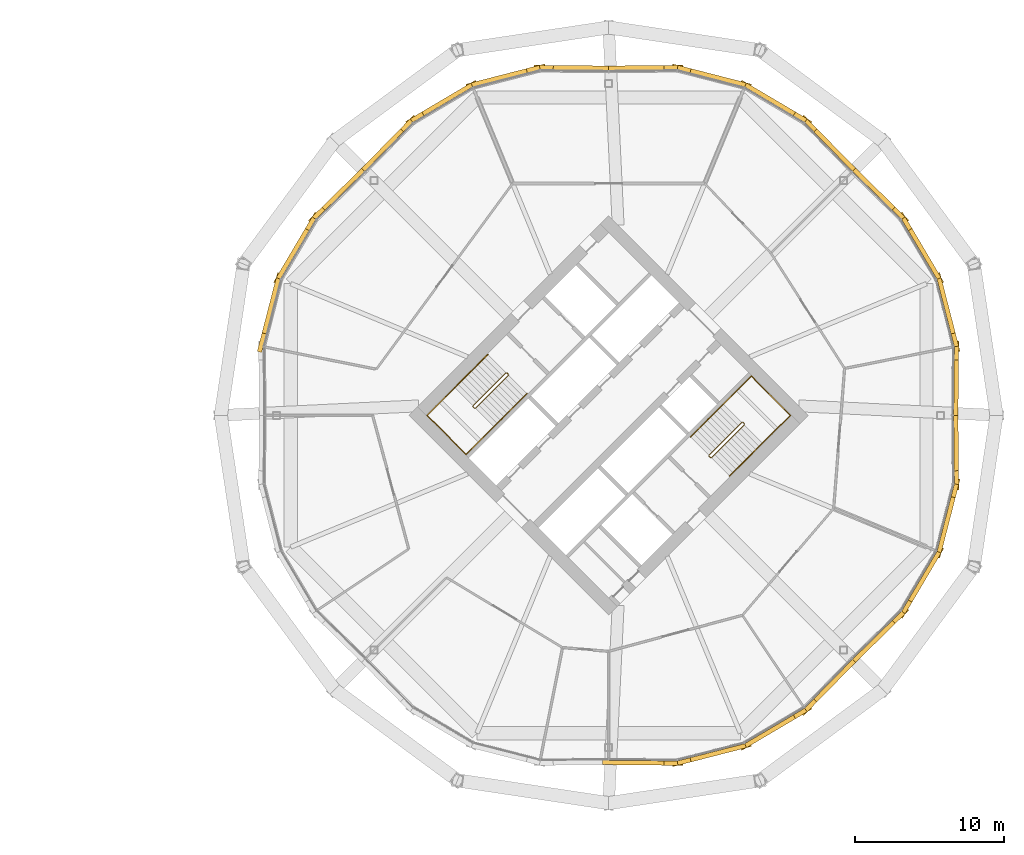
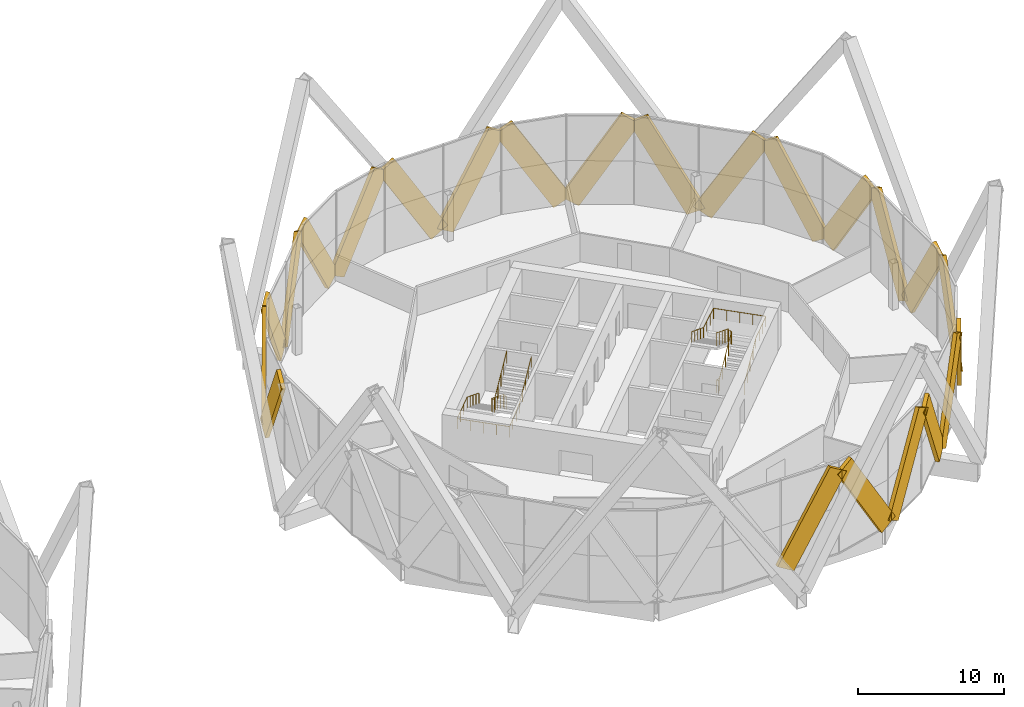
# One storey, part 28 of 28: 23 coverings, 4 railings.
"""IFC4 building model written with IfcOpenShell, lengths in metres."""

from ifc_helpers import new_model, si_unit, direction, frame, origin, origin_2d, place, context, subcontext, project, spatial, rectangle, circle, extrude, material, material_profile, profile_set, type_object, element, save


model = new_model("IFC4")

# Units and contexts
model_context = context("Model", 3, precision=1e-05, world=origin(), true_north=direction((0.0, 1.0)))
body_context = subcontext(model_context, "Body", "Model", "MODEL_VIEW")
ifc_project = project(units=[si_unit("LENGTHUNIT", "METRE"), si_unit("AREAUNIT", "SQUARE_METRE"), si_unit("VOLUMEUNIT", "CUBIC_METRE"), si_unit("PLANEANGLEUNIT", "RADIAN"), si_unit("MASSUNIT", "GRAM", prefix="KILO")], contexts=[model_context])

# Site, building, storey
site_placement = place(None, origin())
site = spatial("IfcSite", under=ifc_project, at=site_placement, CompositionType="ELEMENT")
building_placement = place(site_placement, origin())
building = spatial("IfcBuilding", under=site, at=building_placement, Name="Ogive Gate Towers", CompositionType="ELEMENT")
storey_placement = place(building_placement, frame((0.0, 0.0, 115.199951171875)))
storey = spatial("IfcBuildingStorey", under=building, at=storey_placement, Name="L27", CompositionType="ELEMENT", Elevation=115.199951171875)

# Coverings
ifc_material_1 = material(Name="Pale metal aluminium", Category="aluminium")
ifc_material_profile = material_profile(ifc_material_1, rectangle(XDim=0.300048828125, YDim=1.5, at=origin_2d()), Name="1500 x 300 pale metal aluminium")
ifc_profile_set = profile_set([ifc_material_profile], Name="Pale metal aluminium")
covering_type = type_object("IfcCoveringType", Name="Facade fin 1500 x 300", PredefinedType="CLADDING", material=ifc_profile_set)
covering_1_placement = place(storey_placement, frame((59.372314453125, 0.228515625, 0.13525390625), z_axis=(0.005290317119, 0.513523525176, 0.85805920637), x_axis=(-0.999946938666, 0.010301449006, 0.0)))
element("IfcCovering", 1, at=covering_1_placement, inside=storey, type_object=covering_type, Name="Facade fin", PredefinedType="CLADDING", context=body_context, shape_type="SweptSolid", body=[
    extrude(rectangle(XDim=0.300048828125, YDim=1.5, at=origin_2d()), origin(), (0.0, 0.0, 1.0), 8.075927734375),
])
for number, where, z_axis, x_axis, name in (
    (2, (58.306884765625, 8.955078125, 0.138916015625), (0.129101932383, -0.5022339598, 0.855040198283), (0.96851336819, 0.248961554535, 0.0), "Facade fin"),
    (3, (58.10546875, 9.441162109375, 0.138916015625), (-0.263840727454, 0.446439379269, 0.855032134586), (-0.860896426094, -0.508780250736, 0.0), "Facade fin"),
):
    element("IfcCovering", number, at=place(storey_placement, frame(where, z_axis=z_axis, x_axis=x_axis)), inside=storey, type_object=covering_type, Name=name, PredefinedType="CLADDING", context=body_context, shape_type="SweptSolid", body=[
        extrude(rectangle(XDim=0.300048828125, YDim=1.5, at=origin_2d()), origin(), (0.0, 0.0, 1.0), 8.095703125),
    ])
for number, where, z_axis, x_axis, name in (
    (4, (52.688232421875, 16.365234375, 0.13525390625), (0.366872875915, -0.359375803303, 0.858052052569), (0.699770026242, 0.714368189643, 0.0), "Facade fin"),
    (5, (52.365234375, 16.688232421875, 0.13525390625), (-0.359375803303, 0.366872875915, 0.858052052569), (-0.714368189643, -0.699770026242, 0.0), "Facade fin"),
):
    element("IfcCovering", number, at=place(storey_placement, frame(where, z_axis=z_axis, x_axis=x_axis)), inside=storey, type_object=covering_type, Name=name, PredefinedType="CLADDING", context=body_context, shape_type="SweptSolid", body=[
        extrude(rectangle(XDim=0.300048828125, YDim=1.5, at=origin_2d()), origin(), (0.0, 0.0, 1.0), 8.076171875),
    ])
for number, where, z_axis, x_axis, name in (
    (6, (45.441162109375, 22.10546875, 0.138916015625), (0.446439379269, -0.263840727454, 0.855032134586), (0.508780250736, 0.860896426094, 0.0), "Facade fin"),
    (7, (44.955078125, 22.306884765625, 0.138916015625), (-0.5022339598, 0.129101932383, 0.855040198283), (-0.248961554535, -0.96851336819, 0.0), "Facade fin"),
):
    element("IfcCovering", number, at=place(storey_placement, frame(where, z_axis=z_axis, x_axis=x_axis)), inside=storey, type_object=covering_type, Name=name, PredefinedType="CLADDING", context=body_context, shape_type="SweptSolid", body=[
        extrude(rectangle(XDim=0.300048828125, YDim=1.5, at=origin_2d()), origin(), (0.0, 0.0, 1.0), 8.095703125),
    ])
for number, where, z_axis, x_axis, name in (
    (8, (36.228515625, 23.372314453125, 0.13525390625), (0.513523525176, 0.005290317119, 0.85805920637), (-0.010301449006, 0.999946938666, 0.0), "Facade fin"),
    (9, (35.771484375, 23.372314453125, 0.13525390625), (-0.513523525176, 0.005290317119, 0.85805920637), (-0.010301449006, -0.999946938666, 0.0), "Facade fin"),
):
    element("IfcCovering", number, at=place(storey_placement, frame(where, z_axis=z_axis, x_axis=x_axis)), inside=storey, type_object=covering_type, Name=name, PredefinedType="CLADDING", context=body_context, shape_type="SweptSolid", body=[
        extrude(rectangle(XDim=0.300048828125, YDim=1.5, at=origin_2d()), origin(), (0.0, 0.0, 1.0), 8.075927734375),
    ])
for number, where, z_axis, x_axis, name in (
    (10, (27.044921875, 22.306884765625, 0.138916015625), (0.5022339598, 0.129101932383, 0.855040198283), (-0.248961554535, 0.96851336819, 0.0), "Facade fin"),
    (11, (26.558837890625, 22.10546875, 0.138916015625), (-0.446439379269, -0.263840727454, 0.855032134586), (0.508780250736, -0.860896426094, 0.0), "Facade fin"),
):
    element("IfcCovering", number, at=place(storey_placement, frame(where, z_axis=z_axis, x_axis=x_axis)), inside=storey, type_object=covering_type, Name=name, PredefinedType="CLADDING", context=body_context, shape_type="SweptSolid", body=[
        extrude(rectangle(XDim=0.300048828125, YDim=1.5, at=origin_2d()), origin(), (0.0, 0.0, 1.0), 8.095703125),
    ])
for number, where, z_axis, x_axis, name in (
    (12, (19.634765625, 16.688232421875, 0.13525390625), (0.359375803303, 0.366872875915, 0.858052052569), (-0.714368189643, 0.699770026242, 0.0), "Facade fin"),
    (13, (19.311767578125, 16.365234375, 0.13525390625), (-0.366872875915, -0.359375803303, 0.858052052569), (0.699770026242, -0.714368189643, 0.0), "Facade fin"),
):
    element("IfcCovering", number, at=place(storey_placement, frame(where, z_axis=z_axis, x_axis=x_axis)), inside=storey, type_object=covering_type, Name=name, PredefinedType="CLADDING", context=body_context, shape_type="SweptSolid", body=[
        extrude(rectangle(XDim=0.300048828125, YDim=1.5, at=origin_2d()), origin(), (0.0, 0.0, 1.0), 8.076171875),
    ])
for number, where, z_axis, x_axis, name in (
    (14, (13.89453125, 9.441162109375, 0.138916015625), (0.263840727454, 0.446439379269, 0.855032134586), (-0.860896426094, 0.508780250736, 0.0), "Facade fin"),
    (15, (13.693115234375, 8.955078125, 0.138916015625), (-0.129101932383, -0.5022339598, 0.855040198283), (0.96851336819, -0.248961554535, 0.0), "Facade fin"),
):
    element("IfcCovering", number, at=place(storey_placement, frame(where, z_axis=z_axis, x_axis=x_axis)), inside=storey, type_object=covering_type, Name=name, PredefinedType="CLADDING", context=body_context, shape_type="SweptSolid", body=[
        extrude(rectangle(XDim=0.300048828125, YDim=1.5, at=origin_2d()), origin(), (0.0, 0.0, 1.0), 8.095703125),
    ])
covering_2_placement = place(storey_placement, frame((36.228515625, -23.372314453125, 0.13525390625), z_axis=(0.513523525176, -0.005290317119, 0.85805920637), x_axis=(0.010301449006, 0.999946938666, 0.0)))
element("IfcCovering", 16, at=covering_2_placement, inside=storey, type_object=covering_type, Name="Facade fin", PredefinedType="CLADDING", context=body_context, shape_type="SweptSolid", body=[
    extrude(rectangle(XDim=0.300048828125, YDim=1.5, at=origin_2d()), origin(), (0.0, 0.0, 1.0), 8.075927734375),
])
for number, where, z_axis, x_axis, name in (
    (17, (44.955078125, -22.306884765625, 0.138916015625), (-0.5022339598, -0.129101932383, 0.855040198283), (0.248961554535, -0.96851336819, 0.0), "Facade fin"),
    (18, (45.441162109375, -22.10546875, 0.138916015625), (0.446439379269, 0.263840727454, 0.855032134586), (-0.508780250736, 0.860896426094, 0.0), "Facade fin"),
):
    element("IfcCovering", number, at=place(storey_placement, frame(where, z_axis=z_axis, x_axis=x_axis)), inside=storey, type_object=covering_type, Name=name, PredefinedType="CLADDING", context=body_context, shape_type="SweptSolid", body=[
        extrude(rectangle(XDim=0.300048828125, YDim=1.5, at=origin_2d()), origin(), (0.0, 0.0, 1.0), 8.095703125),
    ])
for number, where, z_axis, x_axis, name in (
    (19, (52.365234375, -16.688232421875, 0.13525390625), (-0.359375803303, -0.366872875915, 0.858052052569), (0.714368189643, -0.699770026242, 0.0), "Facade fin"),
    (20, (52.688232421875, -16.365234375, 0.13525390625), (0.366872875915, 0.359375803303, 0.858052052569), (-0.699770026242, 0.714368189643, 0.0), "Facade fin"),
):
    element("IfcCovering", number, at=place(storey_placement, frame(where, z_axis=z_axis, x_axis=x_axis)), inside=storey, type_object=covering_type, Name=name, PredefinedType="CLADDING", context=body_context, shape_type="SweptSolid", body=[
        extrude(rectangle(XDim=0.300048828125, YDim=1.5, at=origin_2d()), origin(), (0.0, 0.0, 1.0), 8.076171875),
    ])
for number, where, z_axis, x_axis, name in (
    (21, (58.10546875, -9.441162109375, 0.138916015625), (-0.263840727454, -0.446439379269, 0.855032134586), (0.860896426094, -0.508780250736, 0.0), "Facade fin"),
    (22, (58.306884765625, -8.955078125, 0.138916015625), (0.129101932383, 0.5022339598, 0.855040198283), (-0.96851336819, 0.248961554535, 0.0), "Facade fin"),
):
    element("IfcCovering", number, at=place(storey_placement, frame(where, z_axis=z_axis, x_axis=x_axis)), inside=storey, type_object=covering_type, Name=name, PredefinedType="CLADDING", context=body_context, shape_type="SweptSolid", body=[
        extrude(rectangle(XDim=0.300048828125, YDim=1.5, at=origin_2d()), origin(), (0.0, 0.0, 1.0), 8.095703125),
    ])
covering_3_placement = place(storey_placement, frame((59.372314453125, -0.228515625, 0.13525390625), z_axis=(0.005290317119, -0.513523525176, 0.85805920637), x_axis=(0.999946938666, 0.010301449006, 0.0)))
element("IfcCovering", 23, at=covering_3_placement, inside=storey, type_object=covering_type, Name="Facade fin", PredefinedType="CLADDING", context=body_context, shape_type="SweptSolid", body=[
    extrude(rectangle(XDim=0.300048828125, YDim=1.5, at=origin_2d()), origin(), (0.0, 0.0, 1.0), 8.075927734375),
])

# Railings
ifc_material_2 = material(Name="Stainless steel", Category="steel")
railing_type_1 = type_object("IfcRailingType", Name="Stair guard 1100", PredefinedType="GUARDRAIL", material=ifc_material_2)
railing_1_placement = place(storey_placement, frame((29.15869140625, 2.8603515625, 0.0)))
element("IfcRailing", 24, at=railing_1_placement, inside=storey, type_object=railing_type_1, Name="L27 ST1 stair guard 1", PredefinedType="GUARDRAIL", context=body_context, shape_type="SweptSolid", body=[
    extrude(circle(Radius=0.02392578125, at=origin_2d()), frame((0.0, 0.0, 1.076171875), z_axis=(0.707106781187, -0.707106781187, 0.0), x_axis=(0.707106781187, 0.707106781187, 0.0)), (0.0, 0.0, 1.0), 0.14501953125),
    extrude(circle(Radius=0.02392578125, at=origin_2d()), frame((0.1025390625, -0.1025390625, 1.076171875), z_axis=(-0.645571447971, 0.382425963537, 0.661050594114), x_axis=(-0.509669330572, -0.860370369942, 0.0)), (0.0, 0.0, 1.0), 0.26806640625),
    extrude(circle(Radius=0.02392578125, at=origin_2d()), frame((-0.070556640625, 0.0, 1.25341796875), z_axis=(-0.61558473135, -0.61558473135, 0.49204763698), x_axis=(0.707106781187, -0.707106781187, 0.0)), (0.0, 0.0, 1.0), 3.602783203125),
    extrude(circle(Radius=0.02392578125, at=origin_2d()), frame((-2.288330078125, -2.2177734375, 3.02587890625), z_axis=(0.0, -1.0, 0.0), x_axis=(1.0, 0.0, 0.0)), (0.0, 0.0, 1.0), 0.07080078125),
    extrude(circle(Radius=0.02392578125, at=origin_2d()), frame((-2.288330078125, -2.28857421875, 3.02587890625), z_axis=(0.707106781187, -0.707106781187, 0.0), x_axis=(0.707106781187, 0.707106781187, 0.0)), (0.0, 0.0, 1.0), 0.14501953125),
    extrude(circle(Radius=0.02392578125, at=origin_2d()), frame((-2.185791015625, -2.39111328125, 3.02587890625), z_axis=(0.369406379806, 0.0, 0.92926795197), x_axis=(0.0, 1.0, 0.0)), (0.0, 0.0, 1.0), 0.19091796875),
    extrude(circle(Radius=0.02392578125, at=origin_2d()), frame((-2.115234375, -2.39111328125, 3.20361328125), z_axis=(0.61558473135, 0.61558473135, 0.49204763698), x_axis=(-0.707106781187, 0.707106781187, 0.0)), (0.0, 0.0, 1.0), 3.602783203125),
    extrude(circle(Radius=0.02099609375, at=origin_2d()), origin(), (0.0, 0.0, 1.0), 1.052001953125),
    extrude(circle(Radius=0.02099609375, at=origin_2d()), frame((0.1025390625, -0.1025390625, 0.0)), (0.0, 0.0, 1.0), 1.052001953125),
    extrude(circle(Radius=0.02099609375, at=origin_2d()), frame((-0.070556640625, 0.0, 0.17724609375)), (0.0, 0.0, 1.0), 1.052001953125),
    extrude(circle(Radius=0.02099609375, at=origin_2d()), frame((-0.625, -0.554443359375, 0.620361328125)), (0.0, 0.0, 1.0), 1.052001953125),
    extrude(circle(Radius=0.02099609375, at=origin_2d()), frame((-1.179443359375, -1.10888671875, 1.0634765625)), (0.0, 0.0, 1.0), 1.052001953125),
    extrude(circle(Radius=0.02099609375, at=origin_2d()), frame((-1.73388671875, -1.663330078125, 1.5068359375)), (0.0, 0.0, 1.0), 1.052001953125),
    extrude(circle(Radius=0.02099609375, at=origin_2d()), frame((-2.288330078125, -2.2177734375, 1.949951171875)), (0.0, 0.0, 1.0), 1.052001953125),
    extrude(circle(Radius=0.02099609375, at=origin_2d()), frame((-2.288330078125, -2.28857421875, 1.949951171875)), (0.0, 0.0, 1.0), 1.052001953125),
    extrude(circle(Radius=0.02099609375, at=origin_2d()), frame((-2.185791015625, -2.39111328125, 1.949951171875)), (0.0, 0.0, 1.0), 1.052001953125),
    extrude(circle(Radius=0.02099609375, at=origin_2d()), frame((-2.115234375, -2.39111328125, 2.12744140625)), (0.0, 0.0, 1.0), 1.052001953125),
    extrude(circle(Radius=0.02099609375, at=origin_2d()), frame((-1.560791015625, -1.836669921875, 2.570556640625)), (0.0, 0.0, 1.0), 1.052001953125),
    extrude(circle(Radius=0.02099609375, at=origin_2d()), frame((-1.00634765625, -1.2822265625, 3.013671875)), (0.0, 0.0, 1.0), 1.052001953125),
    extrude(circle(Radius=0.02099609375, at=origin_2d()), frame((-0.451904296875, -0.727783203125, 3.45703125)), (0.0, 0.0, 1.0), 1.052001953125),
    extrude(circle(Radius=0.02099609375, at=origin_2d()), frame((0.1025390625, -0.17333984375, 3.900146484375)), (0.0, 0.0, 1.0), 1.052001953125),
])
railing_2_placement = place(storey_placement, frame((42.84130859375, -2.8603515625, 0.0)))
element("IfcRailing", 25, at=railing_2_placement, inside=storey, type_object=railing_type_1, Name="L27 ST2 stair guard 1", PredefinedType="GUARDRAIL", context=body_context, shape_type="SweptSolid", body=[
    extrude(circle(Radius=0.02392578125, at=origin_2d()), frame((0.0, 0.0, 1.076171875), z_axis=(-0.707106781187, 0.707106781187, 0.0), x_axis=(-0.707106781187, -0.707106781187, 0.0)), (0.0, 0.0, 1.0), 0.14501953125),
    extrude(circle(Radius=0.02392578125, at=origin_2d()), frame((-0.1025390625, 0.1025390625, 1.076171875), z_axis=(0.645571447971, -0.382425963537, 0.661050594114), x_axis=(0.509669330572, 0.860370369942, 0.0)), (0.0, 0.0, 1.0), 0.26806640625),
    extrude(circle(Radius=0.02392578125, at=origin_2d()), frame((0.070556640625, 0.0, 1.25341796875), z_axis=(0.61558473135, 0.61558473135, 0.49204763698), x_axis=(-0.707106781187, 0.707106781187, 0.0)), (0.0, 0.0, 1.0), 3.602783203125),
    extrude(circle(Radius=0.02392578125, at=origin_2d()), frame((2.288330078125, 2.2177734375, 3.02587890625), z_axis=(0.0, 1.0, 0.0), x_axis=(-1.0, 0.0, 0.0)), (0.0, 0.0, 1.0), 0.07080078125),
    extrude(circle(Radius=0.02392578125, at=origin_2d()), frame((2.288330078125, 2.28857421875, 3.02587890625), z_axis=(-0.707106781187, 0.707106781187, 0.0), x_axis=(-0.707106781187, -0.707106781187, 0.0)), (0.0, 0.0, 1.0), 0.14501953125),
    extrude(circle(Radius=0.02392578125, at=origin_2d()), frame((2.185791015625, 2.39111328125, 3.02587890625), z_axis=(-0.369406379806, 0.0, 0.92926795197), x_axis=(0.0, -1.0, 0.0)), (0.0, 0.0, 1.0), 0.19091796875),
    extrude(circle(Radius=0.02392578125, at=origin_2d()), frame((2.115234375, 2.39111328125, 3.20361328125), z_axis=(-0.61558473135, -0.61558473135, 0.49204763698), x_axis=(0.707106781187, -0.707106781187, 0.0)), (0.0, 0.0, 1.0), 3.602783203125),
    extrude(circle(Radius=0.02099609375, at=origin_2d()), origin(), (0.0, 0.0, 1.0), 1.052001953125),
    extrude(circle(Radius=0.02099609375, at=origin_2d()), frame((-0.1025390625, 0.1025390625, 0.0)), (0.0, 0.0, 1.0), 1.052001953125),
    extrude(circle(Radius=0.02099609375, at=origin_2d()), frame((0.070556640625, 0.0, 0.17724609375)), (0.0, 0.0, 1.0), 1.052001953125),
    extrude(circle(Radius=0.02099609375, at=origin_2d()), frame((0.625, 0.554443359375, 0.620361328125)), (0.0, 0.0, 1.0), 1.052001953125),
    extrude(circle(Radius=0.02099609375, at=origin_2d()), frame((1.179443359375, 1.10888671875, 1.0634765625)), (0.0, 0.0, 1.0), 1.052001953125),
    extrude(circle(Radius=0.02099609375, at=origin_2d()), frame((1.73388671875, 1.663330078125, 1.5068359375)), (0.0, 0.0, 1.0), 1.052001953125),
    extrude(circle(Radius=0.02099609375, at=origin_2d()), frame((2.288330078125, 2.2177734375, 1.949951171875)), (0.0, 0.0, 1.0), 1.052001953125),
    extrude(circle(Radius=0.02099609375, at=origin_2d()), frame((2.288330078125, 2.28857421875, 1.949951171875)), (0.0, 0.0, 1.0), 1.052001953125),
    extrude(circle(Radius=0.02099609375, at=origin_2d()), frame((2.185791015625, 2.39111328125, 1.949951171875)), (0.0, 0.0, 1.0), 1.052001953125),
    extrude(circle(Radius=0.02099609375, at=origin_2d()), frame((2.115234375, 2.39111328125, 2.12744140625)), (0.0, 0.0, 1.0), 1.052001953125),
    extrude(circle(Radius=0.02099609375, at=origin_2d()), frame((1.560791015625, 1.836669921875, 2.570556640625)), (0.0, 0.0, 1.0), 1.052001953125),
    extrude(circle(Radius=0.02099609375, at=origin_2d()), frame((1.00634765625, 1.2822265625, 3.013671875)), (0.0, 0.0, 1.0), 1.052001953125),
    extrude(circle(Radius=0.02099609375, at=origin_2d()), frame((0.451904296875, 0.727783203125, 3.45703125)), (0.0, 0.0, 1.0), 1.052001953125),
    extrude(circle(Radius=0.02099609375, at=origin_2d()), frame((-0.1025390625, 0.17333984375, 3.900146484375)), (0.0, 0.0, 1.0), 1.052001953125),
])
railing_type_2 = type_object("IfcRailingType", Name="Stair handrail 900", PredefinedType="HANDRAIL", material=ifc_material_2)
railing_3_placement = place(storey_placement, frame((27.857666015625, 4.090576171875, 0.17724609375)))
element("IfcRailing", 26, at=railing_3_placement, inside=storey, type_object=railing_type_2, Name="L27 ST1 stair handrail 1", PredefinedType="HANDRAIL", context=body_context, shape_type="SweptSolid", body=[
    extrude(circle(Radius=0.02392578125, at=origin_2d()), frame((0.0, 0.0, 0.8759765625), z_axis=(-0.61558473135, -0.61558473135, 0.49204763698), x_axis=(0.707106781187, -0.707106781187, 0.0)), (0.0, 0.0, 1.0), 3.602783203125),
    extrude(circle(Radius=0.02392578125, at=origin_2d()), frame((-2.2177734375, -2.2177734375, 2.6484375), z_axis=(-0.707106781187, -0.707106781187, 0.0), x_axis=(0.707106781187, -0.707106781187, 0.0)), (0.0, 0.0, 1.0), 2.6484375),
    extrude(circle(Radius=0.02392578125, at=origin_2d()), frame((-4.090576171875, -4.090576171875, 2.6484375), z_axis=(0.707106781187, -0.707106781187, 0.0), x_axis=(0.707106781187, 0.707106781187, 0.0)), (0.0, 0.0, 1.0), 3.72509765625),
    extrude(circle(Radius=0.02392578125, at=origin_2d()), frame((-1.45654296875, -6.724609375, 2.6484375), z_axis=(0.705478551472, 0.705570518432, 0.066859980044), x_axis=(-0.70715286629, 0.70706069308, 0.0)), (0.0, 0.0, 1.0), 2.654541015625),
    extrude(circle(Radius=0.02392578125, at=origin_2d()), frame((0.416259765625, -4.8515625, 2.826171875), z_axis=(0.615610411033, 0.615542642384, 0.4920681632), x_axis=(-0.70706785752, 0.70714570271, 0.0)), (0.0, 0.0, 1.0), 3.6025390625),
    extrude(circle(Radius=0.02099609375, at=origin_2d()), origin(), (0.0, 0.0, 1.0), 0.851806640625),
    extrude(circle(Radius=0.02099609375, at=origin_2d()), frame((-0.554443359375, -0.554443359375, 0.443115234375)), (0.0, 0.0, 1.0), 0.851806640625),
    extrude(circle(Radius=0.02099609375, at=origin_2d()), frame((-1.10888671875, -1.10888671875, 0.88623046875)), (0.0, 0.0, 1.0), 0.851806640625),
    extrude(circle(Radius=0.02099609375, at=origin_2d()), frame((-1.663330078125, -1.663330078125, 1.32958984375)), (0.0, 0.0, 1.0), 0.851806640625),
    extrude(circle(Radius=0.02099609375, at=origin_2d()), frame((-2.2177734375, -2.2177734375, 1.772705078125)), (0.0, 0.0, 1.0), 0.851806640625),
    extrude(circle(Radius=0.02099609375, at=origin_2d()), frame((-2.842041015625, -2.842041015625, 1.772705078125)), (0.0, 0.0, 1.0), 0.851806640625),
    extrude(circle(Radius=0.02099609375, at=origin_2d()), frame((-3.46630859375, -3.46630859375, 1.772705078125)), (0.0, 0.0, 1.0), 0.851806640625),
    extrude(circle(Radius=0.02099609375, at=origin_2d()), frame((-4.090576171875, -4.090576171875, 1.772705078125)), (0.0, 0.0, 1.0), 0.851806640625),
    extrude(circle(Radius=0.02099609375, at=origin_2d()), frame((-3.43212890625, -4.7490234375, 1.772705078125)), (0.0, 0.0, 1.0), 0.851806640625),
    extrude(circle(Radius=0.02099609375, at=origin_2d()), frame((-2.7734375, -5.40771484375, 1.772705078125)), (0.0, 0.0, 1.0), 0.851806640625),
    extrude(circle(Radius=0.02099609375, at=origin_2d()), frame((-2.114990234375, -6.066162109375, 1.772705078125)), (0.0, 0.0, 1.0), 0.851806640625),
    extrude(circle(Radius=0.02099609375, at=origin_2d()), frame((-1.45654296875, -6.724609375, 1.772705078125)), (0.0, 0.0, 1.0), 0.851806640625),
    extrude(circle(Radius=0.02099609375, at=origin_2d()), frame((-0.832275390625, -6.100341796875, 1.831787109375)), (0.0, 0.0, 1.0), 0.851806640625),
    extrude(circle(Radius=0.02099609375, at=origin_2d()), frame((-0.2080078125, -5.475830078125, 1.89111328125)), (0.0, 0.0, 1.0), 0.851806640625),
    extrude(circle(Radius=0.02099609375, at=origin_2d()), frame((0.416259765625, -4.8515625, 1.9501953125)), (0.0, 0.0, 1.0), 0.851806640625),
    extrude(circle(Radius=0.02099609375, at=origin_2d()), frame((0.970703125, -4.297119140625, 2.393310546875)), (0.0, 0.0, 1.0), 0.851806640625),
    extrude(circle(Radius=0.02099609375, at=origin_2d()), frame((1.525146484375, -3.74267578125, 2.83642578125)), (0.0, 0.0, 1.0), 0.851806640625),
    extrude(circle(Radius=0.02099609375, at=origin_2d()), frame((2.07958984375, -3.1884765625, 3.27978515625)), (0.0, 0.0, 1.0), 0.851806640625),
    extrude(circle(Radius=0.02099609375, at=origin_2d()), frame((2.634033203125, -2.634033203125, 3.722900390625)), (0.0, 0.0, 1.0), 0.851806640625),
])
railing_4_placement = place(storey_placement, frame((44.142333984375, -4.090576171875, 0.17724609375)))
element("IfcRailing", 27, at=railing_4_placement, inside=storey, type_object=railing_type_2, Name="L27 ST2 stair handrail 1", PredefinedType="HANDRAIL", context=body_context, shape_type="SweptSolid", body=[
    extrude(circle(Radius=0.02392578125, at=origin_2d()), frame((0.0, 0.0, 0.8759765625), z_axis=(0.61558473135, 0.61558473135, 0.49204763698), x_axis=(-0.707106781187, 0.707106781187, 0.0)), (0.0, 0.0, 1.0), 3.602783203125),
    extrude(circle(Radius=0.02392578125, at=origin_2d()), frame((2.2177734375, 2.2177734375, 2.6484375), z_axis=(0.707106781187, 0.707106781187, 0.0), x_axis=(-0.707106781187, 0.707106781187, 0.0)), (0.0, 0.0, 1.0), 2.6484375),
    extrude(circle(Radius=0.02392578125, at=origin_2d()), frame((4.090576171875, 4.090576171875, 2.6484375), z_axis=(-0.707106781187, 0.707106781187, 0.0), x_axis=(-0.707106781187, -0.707106781187, 0.0)), (0.0, 0.0, 1.0), 3.72509765625),
    extrude(circle(Radius=0.02392578125, at=origin_2d()), frame((1.45654296875, 6.724609375, 2.6484375), z_axis=(-0.705478551472, -0.705570518432, 0.066859980044), x_axis=(0.70715286629, -0.70706069308, 0.0)), (0.0, 0.0, 1.0), 2.654541015625),
    extrude(circle(Radius=0.02392578125, at=origin_2d()), frame((-0.416259765625, 4.8515625, 2.826171875), z_axis=(-0.615610411033, -0.615542642384, 0.4920681632), x_axis=(0.70706785752, -0.70714570271, 0.0)), (0.0, 0.0, 1.0), 3.6025390625),
    extrude(circle(Radius=0.02099609375, at=origin_2d()), origin(), (0.0, 0.0, 1.0), 0.851806640625),
    extrude(circle(Radius=0.02099609375, at=origin_2d()), frame((0.554443359375, 0.554443359375, 0.443115234375)), (0.0, 0.0, 1.0), 0.851806640625),
    extrude(circle(Radius=0.02099609375, at=origin_2d()), frame((1.10888671875, 1.10888671875, 0.88623046875)), (0.0, 0.0, 1.0), 0.851806640625),
    extrude(circle(Radius=0.02099609375, at=origin_2d()), frame((1.663330078125, 1.663330078125, 1.32958984375)), (0.0, 0.0, 1.0), 0.851806640625),
    extrude(circle(Radius=0.02099609375, at=origin_2d()), frame((2.2177734375, 2.2177734375, 1.772705078125)), (0.0, 0.0, 1.0), 0.851806640625),
    extrude(circle(Radius=0.02099609375, at=origin_2d()), frame((2.842041015625, 2.842041015625, 1.772705078125)), (0.0, 0.0, 1.0), 0.851806640625),
    extrude(circle(Radius=0.02099609375, at=origin_2d()), frame((3.46630859375, 3.46630859375, 1.772705078125)), (0.0, 0.0, 1.0), 0.851806640625),
    extrude(circle(Radius=0.02099609375, at=origin_2d()), frame((4.090576171875, 4.090576171875, 1.772705078125)), (0.0, 0.0, 1.0), 0.851806640625),
    extrude(circle(Radius=0.02099609375, at=origin_2d()), frame((3.43212890625, 4.7490234375, 1.772705078125)), (0.0, 0.0, 1.0), 0.851806640625),
    extrude(circle(Radius=0.02099609375, at=origin_2d()), frame((2.7734375, 5.40771484375, 1.772705078125)), (0.0, 0.0, 1.0), 0.851806640625),
    extrude(circle(Radius=0.02099609375, at=origin_2d()), frame((2.114990234375, 6.066162109375, 1.772705078125)), (0.0, 0.0, 1.0), 0.851806640625),
    extrude(circle(Radius=0.02099609375, at=origin_2d()), frame((1.45654296875, 6.724609375, 1.772705078125)), (0.0, 0.0, 1.0), 0.851806640625),
    extrude(circle(Radius=0.02099609375, at=origin_2d()), frame((0.832275390625, 6.100341796875, 1.831787109375)), (0.0, 0.0, 1.0), 0.851806640625),
    extrude(circle(Radius=0.02099609375, at=origin_2d()), frame((0.2080078125, 5.475830078125, 1.89111328125)), (0.0, 0.0, 1.0), 0.851806640625),
    extrude(circle(Radius=0.02099609375, at=origin_2d()), frame((-0.416259765625, 4.8515625, 1.9501953125)), (0.0, 0.0, 1.0), 0.851806640625),
    extrude(circle(Radius=0.02099609375, at=origin_2d()), frame((-0.970703125, 4.297119140625, 2.393310546875)), (0.0, 0.0, 1.0), 0.851806640625),
    extrude(circle(Radius=0.02099609375, at=origin_2d()), frame((-1.525146484375, 3.74267578125, 2.83642578125)), (0.0, 0.0, 1.0), 0.851806640625),
    extrude(circle(Radius=0.02099609375, at=origin_2d()), frame((-2.07958984375, 3.1884765625, 3.27978515625)), (0.0, 0.0, 1.0), 0.851806640625),
    extrude(circle(Radius=0.02099609375, at=origin_2d()), frame((-2.634033203125, 2.634033203125, 3.722900390625)), (0.0, 0.0, 1.0), 0.851806640625),
])

save(model, "model.ifc")
